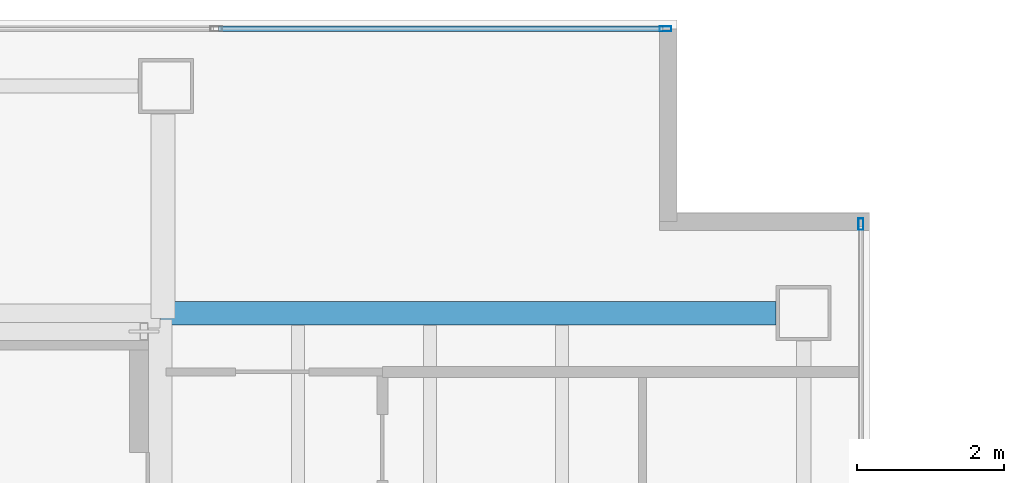
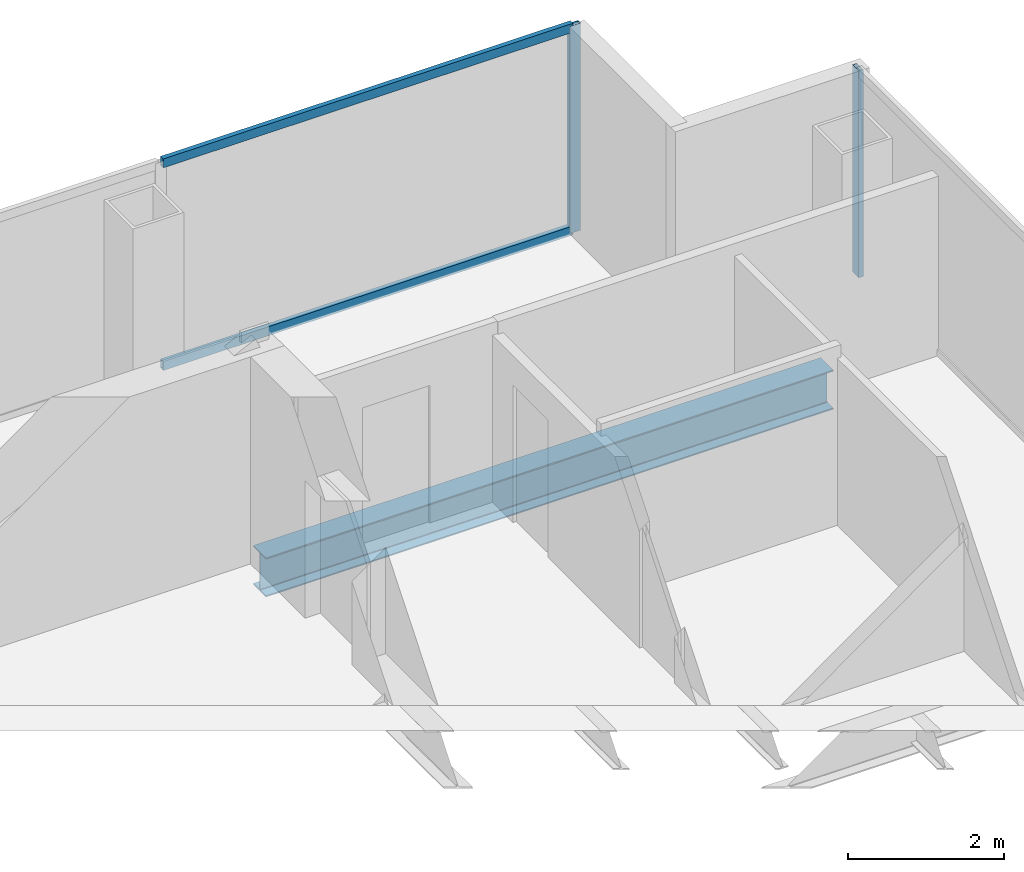
# One storey, part 18 of 23: 4 members, 1 beam, 2 elements without a shape of their own.
"""IFC4 building model written with IfcOpenShell, lengths in metres."""

from ifc_helpers import new_model, si_unit, direction, frame, origin, origin_2d, place, context, subcontext, project, spatial, hollow_rectangle, i_section, extrude, material, material_profile, profile_set, type_object, element, aggregate, save


model = new_model("IFC4")

# Units and contexts
model_context = context("Model", 3, precision=1e-05, world=origin(), true_north=direction((0.0, 1.0)))
body_context = subcontext(model_context, "Body", "Model", "MODEL_VIEW")
ifc_project = project(units=[si_unit("LENGTHUNIT", "METRE"), si_unit("AREAUNIT", "SQUARE_METRE"), si_unit("VOLUMEUNIT", "CUBIC_METRE"), si_unit("PLANEANGLEUNIT", "RADIAN"), si_unit("MASSUNIT", "GRAM", prefix="KILO")], contexts=[model_context])

# Site, building, storey
site_placement = place(None, origin())
site = spatial("IfcSite", under=ifc_project, at=site_placement, CompositionType="ELEMENT")
building_placement = place(site_placement, origin())
building = spatial("IfcBuilding", under=site, at=building_placement, Name="Cobrela Telecom Tower", CompositionType="ELEMENT")
storey_placement = place(building_placement, frame((0.0, 0.0, 215.25)))
storey = spatial("IfcBuildingStorey", under=building, at=storey_placement, Name="L55", CompositionType="ELEMENT", Elevation=215.25)

# Beam
ifc_material_1 = material(Name="Steel ASTM A992 Grade 50", Category="steel")
ifc_material_profile_1 = material_profile(ifc_material_1, i_section(OverallWidth=0.324951171875, OverallDepth=0.612060546875, WebThickness=0.0126953125, FlangeThickness=0.01904296875, FilletRadius=0.014892578125, at=origin_2d()), Name="W24X104")
ifc_profile_set_1 = profile_set([ifc_material_profile_1], Name="Steel ASTM A992 Grade 50")
beam_type = type_object("IfcBeamType", Name="BM-GIRD-07", PredefinedType="USERDEFINED", material=ifc_profile_set_1)
beam_placement = place(storey_placement, frame((14.324951171875, 36.0, -0.56591796875), z_axis=(1.0, 0.0, 0.0), x_axis=(0.0, 1.0, 0.0)))
element("IfcBeam", 1, at=beam_placement, inside=storey, type_object=beam_type, Name="L55 Primary Girder X22", ObjectType="GIRDER", PredefinedType="USERDEFINED", context=body_context, shape_type="SweptSolid", body=[
    extrude(i_section(OverallWidth=0.324951171875, OverallDepth=0.612060546875, WebThickness=0.0126953125, FlangeThickness=0.01904296875, FilletRadius=0.014892578125, at=origin_2d()), origin(), (0.0, 0.0, 1.0), 8.39501953125),
])

# Curtain wall, member
ifc_material_2 = material(Name="Anodized Bronze Aluminium 6063-T6", Category="aluminium")
curtain_wall_type = type_object("IfcCurtainWallType", Name="CW-SYS-OFF-LO", PredefinedType="USERDEFINED", material=ifc_material_2)
curtain_wall_1_placement = place(storey_placement, origin())
curtain_wall_1 = element("IfcCurtainWall", 2, at=curtain_wall_1_placement, inside=storey, type_object=curtain_wall_type, Name="L55 Unitised Bronze Curtain Wall 07", ObjectType="UNITISED CURTAIN WALL", PredefinedType="USERDEFINED")
ifc_material_profile_2 = material_profile(ifc_material_2, hollow_rectangle(XDim=0.070068359375, YDim=0.159912109375, WallThickness=0.00390625, at=origin_2d()), Name="ALU 70x160x4")
ifc_profile_set_2 = profile_set([ifc_material_profile_2], Name="Anodized Bronze Aluminium 6063-T6")
member_type_1 = type_object("IfcMemberType", Name="CW-SYS-OFF-LO-MUL", PredefinedType="MULLION", material=ifc_profile_set_2)
member_1_placement = place(storey_placement, frame((21.215087890625, 39.8798828125, 0.0), z_axis=(0.0, 0.0, 1.0), x_axis=(0.0, 1.0, 0.0)))
member_1 = element("IfcMember", 3, at=member_1_placement, type_object=member_type_1, Name="CW-OFF-LO mullion 4", PredefinedType="MULLION", context=body_context, shape_type="SweptSolid", body=[
    extrude(hollow_rectangle(XDim=0.070068359375, YDim=0.159912109375, WallThickness=0.00390625, at=origin_2d()), origin(), (0.0, 0.0, 1.0), 3.239990234375),
])

curtain_wall_2_placement = place(storey_placement, origin())
curtain_wall_2 = element("IfcCurtainWall", 4, at=curtain_wall_2_placement, inside=storey, type_object=curtain_wall_type, Name="L55 Unitised Bronze Curtain Wall 10", ObjectType="UNITISED CURTAIN WALL", PredefinedType="USERDEFINED")
member_2_placement = place(storey_placement, frame((23.8798828125, 37.215087890625, 0.0), z_axis=(0.0, 0.0, 1.0), x_axis=(1.0, 0.0, 0.0)))
member_2 = element("IfcMember", 5, at=member_2_placement, type_object=member_type_1, Name="CW-OFF-LO mullion 1", PredefinedType="MULLION", context=body_context, shape_type="SweptSolid", body=[
    extrude(hollow_rectangle(XDim=0.070068359375, YDim=0.159912109375, WallThickness=0.00390625, at=origin_2d()), origin(), (0.0, 0.0, 1.0), 3.239990234375),
])
aggregate(curtain_wall_2, [member_2])

# Member
ifc_material_profile_3 = material_profile(ifc_material_2, hollow_rectangle(XDim=0.070068359375, YDim=0.139892578125, WallThickness=0.00390625, at=origin_2d()), Name="ALU 70x140x4")
ifc_profile_set_3 = profile_set([ifc_material_profile_3], Name="Anodized Bronze Aluminium 6063-T6")
member_type_2 = type_object("IfcMemberType", Name="CW-SYS-OFF-LO-TRN", PredefinedType="USERDEFINED", material=ifc_profile_set_3)
member_3_placement = place(storey_placement, frame((15.118408203125, 39.8798828125, 0.034912109375), z_axis=(1.0, 0.0, 0.0), x_axis=(0.0, 1.0, 0.0)))
member_3 = element("IfcMember", 6, at=member_3_placement, type_object=member_type_2, Name="CW-OFF-LO transom 3.1", ObjectType="TRANSOM", PredefinedType="USERDEFINED", context=body_context, shape_type="SweptSolid", body=[
    extrude(hollow_rectangle(XDim=0.070068359375, YDim=0.139892578125, WallThickness=0.00390625, at=origin_2d()), origin(), (0.0, 0.0, 1.0), 6.0615234375),
])

member_4_placement = place(storey_placement, frame((15.118408203125, 39.8798828125, 3.205078125), z_axis=(1.0, 0.0, 0.0), x_axis=(0.0, 1.0, 0.0)))
member_4 = element("IfcMember", 7, at=member_4_placement, type_object=member_type_2, Name="CW-OFF-LO transom 3.2", ObjectType="TRANSOM", PredefinedType="USERDEFINED", context=body_context, shape_type="SweptSolid", body=[
    extrude(hollow_rectangle(XDim=0.070068359375, YDim=0.139892578125, WallThickness=0.00390625, at=origin_2d()), origin(), (0.0, 0.0, 1.0), 6.0615234375),
])

aggregate(curtain_wall_1, [member_1, member_3, member_4])

save(model, "model.ifc")
